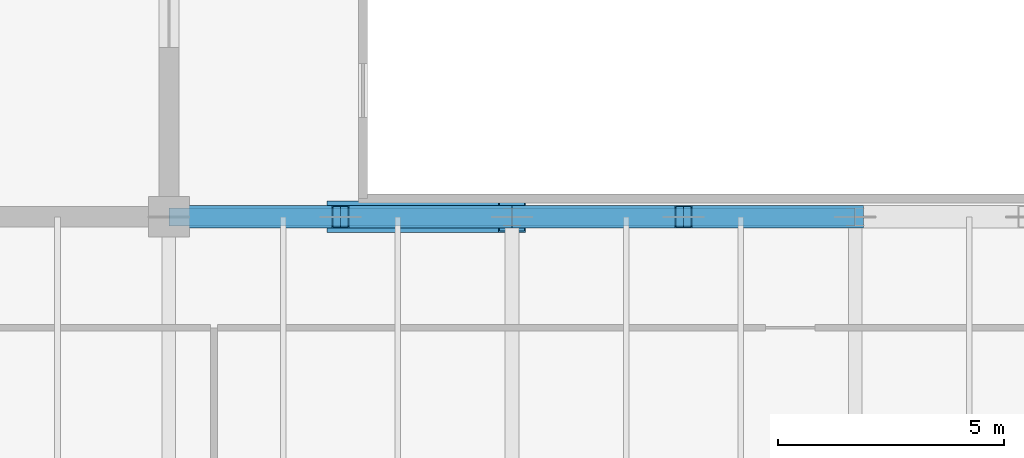
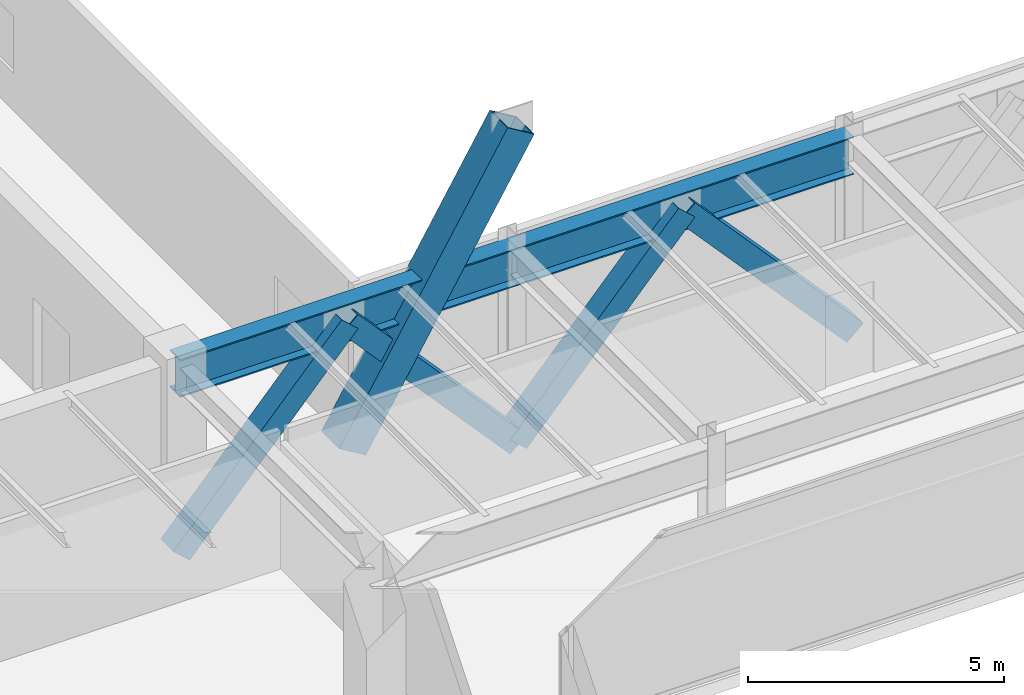
# One storey, part 8 of 32: 5 members, 2 beams.
"""IFC4 building model written with IfcOpenShell, lengths in metres."""

from ifc_helpers import new_model, si_unit, direction, frame, origin, origin_2d, place, context, subcontext, project, spatial, hollow_rectangle, i_section, extrude, source, transform, mapped, material, material_profile, profile_set, type_object, type_shapes, element, save


model = new_model("IFC4")

# Units and contexts
model_context = context("Model", 3, precision=1e-05, world=origin(), true_north=direction((0.0, 1.0)))
body_context = subcontext(model_context, "Body", "Model", "MODEL_VIEW")
ifc_project = project(units=[si_unit("LENGTHUNIT", "METRE"), si_unit("AREAUNIT", "SQUARE_METRE"), si_unit("VOLUMEUNIT", "CUBIC_METRE"), si_unit("PLANEANGLEUNIT", "RADIAN"), si_unit("MASSUNIT", "GRAM", prefix="KILO")], contexts=[model_context])

# Site, building, storey
site_placement = place(None, origin())
site = spatial("IfcSite", under=ifc_project, at=site_placement, CompositionType="ELEMENT")
building_placement = place(site_placement, origin())
building = spatial("IfcBuilding", under=site, at=building_placement, Name="Haelvirn Gate Laboratories", CompositionType="ELEMENT")
storey_placement = place(building_placement, frame((0.0, 0.0, 306.0)))
storey = spatial("IfcBuildingStorey", under=building, at=storey_placement, Name="L73", CompositionType="ELEMENT", Elevation=306.0)

# Beams
ifc_material = material(Name="Steel SM420", Category="steel")
ifc_material_profile_1 = material_profile(ifc_material, i_section(OverallWidth=0.39990234375, OverallDepth=0.89990234375, WebThickness=0.01904296875, FlangeThickness=0.031982421875, at=origin_2d()), Name="H-900x400x19x32")
ifc_profile_set_1 = profile_set([ifc_material_profile_1], Name="Steel SM420")
beam_type = type_object("IfcBeamType", Name="BM-TG-900", PredefinedType="BEAM", material=ifc_profile_set_1)
shared_shape_1 = source(origin(), body_context, "Body", "SweptSolid", [
    extrude(i_section(OverallWidth=0.39990234375, OverallDepth=0.89990234375, WebThickness=0.01904296875, FlangeThickness=0.031982421875, at=origin_2d()), origin(), (0.0, 0.0, 1.0), 7.60009765625),
])
beam_1_placement = place(storey_placement, frame((22.199951171875, 14.800048828125, 3.449951171875), z_axis=(1.0, 0.0, 0.0), x_axis=(0.0, 1.0, 0.0)))
element("IfcBeam", 1, at=beam_1_placement, inside=storey, type_object=beam_type, Name="L73 Primary Girder Y14.8 (22.2-29.8)", PredefinedType="BEAM", context=body_context, shape_type="MappedRepresentation", body=[
    mapped(shared_shape_1, transform((0.0, 0.0, 0.0), scale=1.0)),
])
shared_shape_2 = source(origin(), body_context, "Body", "SweptSolid", [
    extrude(i_section(OverallWidth=0.39990234375, OverallDepth=0.89990234375, WebThickness=0.01904296875, FlangeThickness=0.031982421875, at=origin_2d()), origin(), (0.0, 0.0, 1.0), 7.599853515625),
])
type_shapes(beam_type, [shared_shape_1, shared_shape_2])
beam_2_placement = place(storey_placement, frame((29.800048828125, 14.800048828125, 3.449951171875), z_axis=(1.0, 0.0, 0.0), x_axis=(0.0, 1.0, 0.0)))
element("IfcBeam", 2, at=beam_2_placement, inside=storey, type_object=beam_type, Name="L73 Primary Girder Y14.8 (29.8-37.4)", PredefinedType="BEAM", context=body_context, shape_type="MappedRepresentation", body=[
    mapped(shared_shape_2, transform((0.0, 0.0, 0.0), scale=1.0)),
])

# Members
ifc_material_profile_2 = material_profile(ifc_material, hollow_rectangle(XDim=0.699951171875, YDim=0.699951171875, WallThickness=0.031982421875, at=origin_2d()), Name="BOX-700x700x32")
ifc_profile_set_2 = profile_set([ifc_material_profile_2], Name="Steel SM420")
member_type_1 = type_object("IfcMemberType", Name="MEM-ARCH-RIB", PredefinedType="CHORD", material=ifc_profile_set_2)
shared_shape_3 = source(origin(), body_context, "Body", "SweptSolid", [
    extrude(hollow_rectangle(XDim=0.699951171875, YDim=0.699951171875, WallThickness=0.031982421875, at=origin_2d()), origin(), (0.0, 0.0, 1.0), 7.38134765625),
])
type_shapes(member_type_1, [shared_shape_3])
member_placement = place(storey_placement, frame((26.0, 14.800048828125, 0.45947265625), z_axis=(0.51481187824, 0.0, 0.857303172759), x_axis=(0.0, 1.0, 0.0)))
element("IfcMember", 3, at=member_placement, inside=storey, type_object=member_type_1, Name="Parabolic Steel Arch Rib Y14.8 Seg 2", PredefinedType="CHORD", context=body_context, shape_type="MappedRepresentation", body=[
    mapped(shared_shape_3, transform((0.0, 0.0, 0.0), scale=1.0)),
])
ifc_material_profile_3 = material_profile(ifc_material, hollow_rectangle(XDim=0.5, YDim=0.5, WallThickness=0.02197265625, at=origin_2d()), Name="BOX-500x500x22")
ifc_profile_set_3 = profile_set([ifc_material_profile_3], Name="Steel SM420")
member_type_2 = type_object("IfcMemberType", Name="MEM-ARCH-WEB", PredefinedType="BRACE", material=ifc_profile_set_3)
shared_shape_4 = source(origin(), body_context, "Body", "SweptSolid", [
    extrude(hollow_rectangle(XDim=0.5, YDim=0.5, WallThickness=0.02197265625, at=origin_2d()), origin(), (0.0, 0.0, 1.0), 5.663818359375),
])
type_shapes(member_type_2, [shared_shape_4])
for number, where, z_axis, x_axis, name in (
    (4, (22.199951171875, 14.800048828125, -0.75), (0.670922353302, 0.0, 0.741527609628), (0.0, 1.0, 0.0), "L73 Arch Truss Chevron Web Y14.8-1A"),
    (5, (26.0, 14.800048828125, 3.449951171875), (0.670922353302, 0.0, -0.741527609628), (0.0, 1.0, 0.0), "L73 Arch Truss Chevron Web Y14.8-1B"),
    (6, (29.800048828125, 14.800048828125, -0.75), (0.670922353302, 0.0, 0.741527609628), (0.0, 1.0, 0.0), "L73 Arch Truss Chevron Web Y14.8-2A"),
    (7, (33.60009765625, 14.800048828125, 3.449951171875), (0.670898650667, 0.0, -0.741549054705), (0.0, 1.0, 0.0), "L73 Arch Truss Chevron Web Y14.8-2B"),
):
    element("IfcMember", number, at=place(storey_placement, frame(where, z_axis=z_axis, x_axis=x_axis)), inside=storey, type_object=member_type_2, Name=name, PredefinedType="BRACE", context=body_context, shape_type="MappedRepresentation", body=[
        mapped(shared_shape_4, transform((0.0, 0.0, 0.0), scale=1.0)),
    ])

save(model, "model.ifc")
